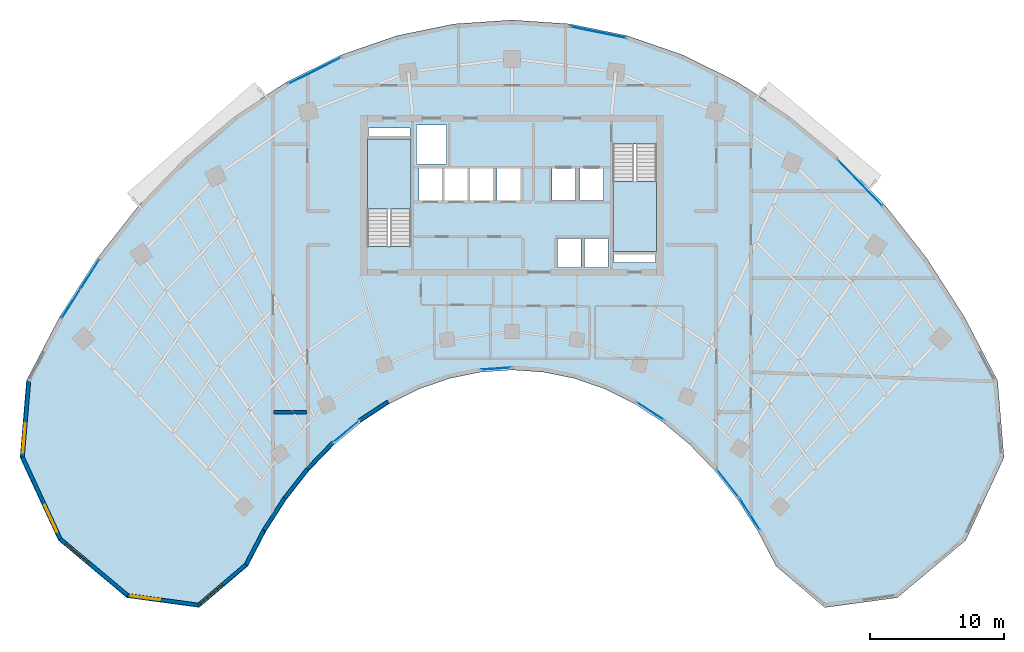
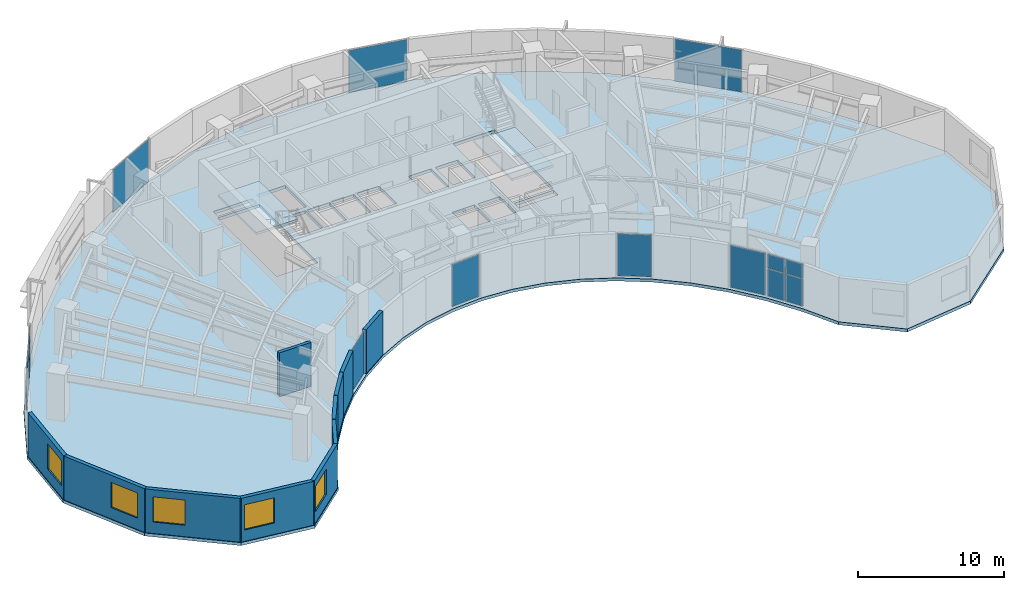
# One storey, part 7 of 14: 15 plates, 11 walls, 5 windows, 3 slabs, 5 openings, 11 elements without a shape of their own.
"""IFC4 building model written with IfcOpenShell, lengths in metres."""

from ifc_helpers import new_model, si_unit, direction, frame, frame_2d, origin, origin_2d, place, context, subcontext, project, spatial, polyline, rectangle, outline, extrude, source, transform, mapped, material, layer, layer_set, type_object, type_shapes, element, fill, aggregate, save


model = new_model("IFC4")

# Units and contexts
model_context = context("Model", 3, precision=1e-05, world=origin(), true_north=direction((0.0, 1.0)))
body_context = subcontext(model_context, "Body", "Model", "MODEL_VIEW")
ifc_project = project(units=[si_unit("LENGTHUNIT", "METRE"), si_unit("AREAUNIT", "SQUARE_METRE"), si_unit("VOLUMEUNIT", "CUBIC_METRE"), si_unit("PLANEANGLEUNIT", "RADIAN"), si_unit("MASSUNIT", "GRAM", prefix="KILO")], contexts=[model_context])

# Site, building, storey
site_placement = place(None, origin())
site = spatial("IfcSite", under=ifc_project, at=site_placement, CompositionType="ELEMENT")
building_placement = place(site_placement, origin())
building = spatial("IfcBuilding", under=site, at=building_placement, Name="Breltana Convention Tower", CompositionType="ELEMENT")
storey_placement = place(building_placement, frame((0.0, 0.0, 123.300048828125)))
storey = spatial("IfcBuildingStorey", under=building, at=storey_placement, Name="L29", CompositionType="ELEMENT", Elevation=123.300048828125)

# Slab
ifc_material_1 = material(Name="Concrete C40/50", Category="concrete")
ifc_layer_1 = layer(ifc_material_1, 0.25, Name="Concrete C40/50")
ifc_layer_set_1 = layer_set([ifc_layer_1], Name="Concrete C40/50")
slab_type_1 = type_object("IfcSlabType", Name="SL-OFF-250", PredefinedType="FLOOR", material=ifc_layer_set_1)
slab_1_placement = place(storey_placement, frame((0.0, 0.0, -0.25)))
element("IfcSlab", 1, at=slab_1_placement, inside=storey, type_object=slab_type_1, Name="L29 Suspended Structural Floor Slab", PredefinedType="FLOOR", context=body_context, shape_type="SweptSolid", body=[
    extrude(outline(polyline([(84.254150390625, 52.3564453125), (81.779052734375, 57.1103515625), (78.958251953125, 61.5048828125), (75.820556640625, 65.494873046875), (72.39794921875, 69.03955078125), (68.7255859375, 72.1025390625), (64.841064453125, 74.652587890625), (60.783935546875, 76.663818359375), (56.59619140625, 78.114990234375), (52.3203125, 78.99169921875), (48.0, 79.284912109375), (43.6796875, 78.99169921875), (39.40380859375, 78.114990234375), (35.216064453125, 76.663818359375), (31.158935546875, 74.652587890625), (27.2744140625, 72.1025390625), (23.60205078125, 69.03955078125), (20.179443359375, 65.494873046875), (17.041748046875, 61.5048828125), (14.220947265625, 57.1103515625), (11.745849609375, 52.3564453125), (11.266357421875, 46.619384765625), (14.128173828125, 40.42919921875), (19.23828125, 36.150146484375), (24.64501953125, 35.4169921875), (28.282958984375, 38.509521484375), (29.62890625, 41.09521484375), (31.1630859375, 43.485107421875), (32.869384765625, 45.655029296875), (34.73095703125, 47.5830078125), (36.728271484375, 49.248779296875), (38.8408203125, 50.6357421875), (41.04736328125, 51.7294921875), (43.324951171875, 52.518798828125), (45.650390625, 52.99560546875), (48.0, 53.155029296875), (50.349609375, 52.99560546875), (52.675048828125, 52.518798828125), (54.95263671875, 51.7294921875), (57.1591796875, 50.6357421875), (59.271728515625, 49.248779296875), (61.26904296875, 47.5830078125), (63.130615234375, 45.655029296875), (64.8369140625, 43.485107421875), (66.37109375, 41.09521484375), (67.717041015625, 38.509521484375), (71.35498046875, 35.4169921875), (76.76171875, 36.150146484375), (81.871826171875, 40.42919921875), (84.733642578125, 46.619384765625), (84.254150390625, 52.3564453125)]), holes=[polyline([(37.199951171875, 62.385009765625), (40.469970703125, 62.385009765625), (40.469970703125, 70.39990234375), (37.199951171875, 70.39990234375), (37.199951171875, 62.385009765625)]), polyline([(55.530029296875, 62.0), (58.800048828125, 62.0), (58.800048828125, 70.014892578125), (55.530029296875, 70.014892578125), (55.530029296875, 62.0)]), polyline([(51.39990234375, 60.800048828125), (53.159912109375, 60.800048828125), (53.159912109375, 62.97998046875), (51.39990234375, 62.97998046875), (51.39990234375, 60.800048828125)]), polyline([(53.39990234375, 60.800048828125), (55.159912109375, 60.800048828125), (55.159912109375, 62.97998046875), (53.39990234375, 62.97998046875), (53.39990234375, 60.800048828125)]), polyline([(41.0400390625, 65.820068359375), (42.800048828125, 65.820068359375), (42.800048828125, 68.179931640625), (41.0400390625, 68.179931640625), (41.0400390625, 65.820068359375)]), polyline([(42.93994140625, 65.820068359375), (44.699951171875, 65.820068359375), (44.699951171875, 68.179931640625), (42.93994140625, 68.179931640625), (42.93994140625, 65.820068359375)]), polyline([(44.8701171875, 65.820068359375), (46.6298828125, 65.820068359375), (46.6298828125, 68.179931640625), (44.8701171875, 68.179931640625), (44.8701171875, 65.820068359375)]), polyline([(46.8701171875, 65.820068359375), (48.6298828125, 65.820068359375), (48.6298828125, 68.179931640625), (46.8701171875, 68.179931640625), (46.8701171875, 65.820068359375)]), polyline([(50.969970703125, 65.800048828125), (52.72998046875, 65.800048828125), (52.72998046875, 68.179931640625), (50.969970703125, 68.179931640625), (50.969970703125, 65.800048828125)]), polyline([(53.070068359375, 65.800048828125), (54.830078125, 65.800048828125), (54.830078125, 68.179931640625), (53.070068359375, 68.179931640625), (53.070068359375, 65.800048828125)]), polyline([(40.8798828125, 68.550048828125), (43.1201171875, 68.550048828125), (43.1201171875, 71.449951171875), (40.8798828125, 71.449951171875), (40.8798828125, 68.550048828125)]), polyline([(37.300048828125, 70.60009765625), (40.3798828125, 70.60009765625), (40.3798828125, 71.219970703125), (37.300048828125, 71.219970703125), (37.300048828125, 70.60009765625)]), polyline([(55.6201171875, 61.179931640625), (58.699951171875, 61.179931640625), (58.699951171875, 61.800048828125), (55.6201171875, 61.800048828125), (55.6201171875, 61.179931640625)])]), origin(), (0.0, 0.0, 1.0), 0.25),
])

# Stair, slab
stair_type = type_object("IfcStairType", Name="ST-DOG-1560-R177", PredefinedType="HALF_TURN_STAIR", material=ifc_material_1)
stair_1_placement = place(storey_placement, origin())
stair_1 = element("IfcStair", 2, at=stair_1_placement, inside=storey, type_object=stair_type, Name="L29 Protected Core Exit Stair ST-1", PredefinedType="HALF_TURN_STAIR")
ifc_layer_2 = layer(ifc_material_1, 0.199951171875, Name="Concrete C40/50")
ifc_layer_set_2 = layer_set([ifc_layer_2], Name="Concrete C40/50")
slab_type_2 = type_object("IfcSlabType", Name="SL-STAIR-LANDING-200", PredefinedType="LANDING", material=ifc_layer_set_2)
slab_2_placement = place(storey_placement, frame((0.0, 0.0, 1.75)))
slab_2 = element("IfcSlab", 3, at=slab_2_placement, type_object=slab_type_2, Name="ST-1 landing 1", PredefinedType="LANDING", context=body_context, shape_type="SweptSolid", body=[
    extrude(outline(polyline([(40.469970703125, 65.159912109375), (40.469970703125, 70.39990234375), (37.199951171875, 70.39990234375), (37.199951171875, 65.159912109375), (40.469970703125, 65.159912109375)])), origin(), (0.0, 0.0, 1.0), 0.199951171875),
])
aggregate(stair_1, [slab_2])

stair_2_placement = place(storey_placement, origin())
stair_2 = element("IfcStair", 4, at=stair_2_placement, inside=storey, type_object=stair_type, Name="L29 Protected Core Exit Stair ST-2", PredefinedType="HALF_TURN_STAIR")
slab_3_placement = place(storey_placement, frame((0.0, 0.0, 1.75)))
slab_3 = element("IfcSlab", 5, at=slab_3_placement, type_object=slab_type_2, Name="ST-2 landing 1", PredefinedType="LANDING", context=body_context, shape_type="SweptSolid", body=[
    extrude(outline(polyline([(55.530029296875, 67.239990234375), (55.530029296875, 62.0), (58.800048828125, 62.0), (58.800048828125, 67.239990234375), (55.530029296875, 67.239990234375)])), origin(), (0.0, 0.0, 1.0), 0.199951171875),
])
aggregate(stair_2, [slab_3])

# Curtain wall, plates
ifc_material_2 = material(Name="Aluminium Anodised Bronze Frame", Category="aluminium")
ifc_layer_3 = layer(ifc_material_2, 0.18994140625, Name="Aluminium Anodised Bronze Frame")
ifc_layer_set_3 = layer_set([ifc_layer_3], Name="Aluminium Anodised Bronze Frame")
curtain_wall_type_1 = type_object("IfcCurtainWallType", Name="CW-SYS-1", PredefinedType="NOTDEFINED", material=ifc_layer_set_3)
curtain_wall_1_placement = place(storey_placement, origin())
curtain_wall_1 = element("IfcCurtainWall", 6, at=curtain_wall_1_placement, inside=storey, type_object=curtain_wall_type_1, Name="L29 inner south-court glazing 1", PredefinedType="NOTDEFINED")
ifc_material_3 = material(Name="Glass Low-E Double Glazing", Category="glass")
ifc_layer_4 = layer(ifc_material_3, 0.028076171875, Name="Glass Low-E Double Glazing")
ifc_layer_set_4 = layer_set([ifc_layer_4], Name="Glass Low-E Double Glazing")
plate_type_1 = type_object("IfcPlateType", Name="CWP-IGU-28", PredefinedType="CURTAIN_PANEL", material=ifc_layer_set_4)
shared_shape_1 = source(origin(), body_context, "Body", "SweptSolid", [
    extrude(rectangle(XDim=1.300048828125, YDim=0.028076171875, at=origin_2d()), origin(), (0.0, 0.0, 1.0), 2.25244140625),
])
plate_1_placement = place(storey_placement, frame((66.128173828125, 41.806640625, 0.080078125), z_axis=(0.0, 0.0, 1.0), x_axis=(-0.5401773017, 0.841551235949, 0.0)))
plate_1 = element("IfcPlate", 7, at=plate_1_placement, type_object=plate_type_1, Name="CW-01 panel 1.1", PredefinedType="CURTAIN_PANEL", context=body_context, shape_type="MappedRepresentation", body=[
    mapped(shared_shape_1, transform((0.0, 0.0, 0.0), scale=1.0)),
])
plate_2_placement = place(storey_placement, frame((65.3828125, 42.968017578125, 0.080078125), z_axis=(0.0, 0.0, 1.0), x_axis=(-0.5401773017, 0.841551235949, 0.0)))
plate_2 = element("IfcPlate", 8, at=plate_2_placement, type_object=plate_type_1, Name="CW-01 panel 2.1", PredefinedType="CURTAIN_PANEL", context=body_context, shape_type="MappedRepresentation", body=[
    mapped(shared_shape_1, transform((0.0, 0.0, 0.0), scale=1.0)),
])
shared_shape_2 = source(origin(), body_context, "Body", "SweptSolid", [
    extrude(rectangle(XDim=1.300048828125, YDim=0.028076171875, at=origin_2d()), origin(), (0.0, 0.0, 1.0), 1.157470703125),
])
plate_3_placement = place(storey_placement, frame((66.128173828125, 41.806640625, 2.41259765625), z_axis=(0.0, 0.0, 1.0), x_axis=(-0.5401773017, 0.841551235949, 0.0)))
plate_3 = element("IfcPlate", 9, at=plate_3_placement, type_object=plate_type_1, Name="CW-01 panel 1.2", PredefinedType="CURTAIN_PANEL", context=body_context, shape_type="MappedRepresentation", body=[
    mapped(shared_shape_2, transform((0.0, 0.0, 0.0), scale=1.0)),
])
plate_4_placement = place(storey_placement, frame((65.3828125, 42.968017578125, 2.41259765625), z_axis=(0.0, 0.0, 1.0), x_axis=(-0.5401773017, 0.841551235949, 0.0)))
plate_4 = element("IfcPlate", 10, at=plate_4_placement, type_object=plate_type_1, Name="CW-01 panel 2.2", PredefinedType="CURTAIN_PANEL", context=body_context, shape_type="MappedRepresentation", body=[
    mapped(shared_shape_2, transform((0.0, 0.0, 0.0), scale=1.0)),
])
aggregate(curtain_wall_1, [plate_1, plate_3, plate_2, plate_4])

# Curtain wall, plate
curtain_wall_2_placement = place(storey_placement, origin())
curtain_wall_2 = element("IfcCurtainWall", 11, at=curtain_wall_2_placement, inside=storey, type_object=curtain_wall_type_1, Name="L29 inner south-court glazing 2", PredefinedType="NOTDEFINED")
shared_shape_3 = source(origin(), body_context, "Body", "SweptSolid", [
    extrude(rectangle(XDim=2.6005859375, YDim=0.028076171875, at=origin_2d()), origin(), (0.0, 0.0, 1.0), 3.489990234375),
])
plate_5_placement = place(storey_placement, frame((64.125244140625, 44.681396484375, 0.080078125), z_axis=(0.0, 0.0, 1.0), x_axis=(-0.61815745037, 0.786054302547, 0.0)))
plate_5 = element("IfcPlate", 12, at=plate_5_placement, type_object=plate_type_1, Name="CW-01 panel 1.1", PredefinedType="CURTAIN_PANEL", context=body_context, shape_type="MappedRepresentation", body=[
    mapped(shared_shape_3, transform((0.0, 0.0, 0.0), scale=1.0)),
])
aggregate(curtain_wall_2, [plate_5])

curtain_wall_3_placement = place(storey_placement, origin())
curtain_wall_3 = element("IfcCurtainWall", 13, at=curtain_wall_3_placement, inside=storey, type_object=curtain_wall_type_1, Name="L29 inner south-court glazing 3", PredefinedType="NOTDEFINED")
shared_shape_4 = source(origin(), body_context, "Body", "SweptSolid", [
    extrude(rectangle(XDim=2.3671875, YDim=0.028076171875, at=origin_2d()), origin(), (0.0, 0.0, 1.0), 3.489990234375),
])
plate_6_placement = place(storey_placement, frame((58.314208984375, 50.0927734375, 0.080078125), z_axis=(0.0, 0.0, 1.0), x_axis=(-0.835967927261, 0.548778301858, 0.0)))
plate_6 = element("IfcPlate", 14, at=plate_6_placement, type_object=plate_type_1, Name="CW-01 panel 1.1", PredefinedType="CURTAIN_PANEL", context=body_context, shape_type="MappedRepresentation", body=[
    mapped(shared_shape_4, transform((0.0, 0.0, 0.0), scale=1.0)),
])
aggregate(curtain_wall_3, [plate_6])

curtain_wall_4_placement = place(storey_placement, origin())
curtain_wall_4 = element("IfcCurtainWall", 15, at=curtain_wall_4_placement, inside=storey, type_object=curtain_wall_type_1, Name="L29 inner south-court glazing 4", PredefinedType="NOTDEFINED")
shared_shape_5 = source(origin(), body_context, "Body", "SweptSolid", [
    extrude(rectangle(XDim=2.195068359375, YDim=0.028076171875, at=origin_2d()), origin(), (0.0, 0.0, 1.0), 3.489990234375),
])
plate_7_placement = place(storey_placement, frame((46.81298828125, 53.2548828125, 0.080078125), z_axis=(0.0, 0.0, 1.0), x_axis=(-0.997703821328, -0.067728021582, 0.0)))
plate_7 = element("IfcPlate", 16, at=plate_7_placement, type_object=plate_type_1, Name="CW-01 panel 1.1", PredefinedType="CURTAIN_PANEL", context=body_context, shape_type="MappedRepresentation", body=[
    mapped(shared_shape_5, transform((0.0, 0.0, 0.0), scale=1.0)),
])
aggregate(curtain_wall_4, [plate_7])

curtain_wall_5_placement = place(storey_placement, origin())
curtain_wall_5 = element("IfcCurtainWall", 17, at=curtain_wall_5_placement, inside=storey, type_object=curtain_wall_type_1, Name="L29 inner south-court glazing 5", PredefinedType="NOTDEFINED")
shared_shape_6 = source(origin(), body_context, "Body", "SweptSolid", [
    extrude(rectangle(XDim=2.44091796875, YDim=0.028076171875, at=origin_2d()), origin(), (0.0, 0.0, 1.0), 3.489990234375),
])
plate_8_placement = place(storey_placement, frame((35.6142578125, 48.553955078125, 0.080078125), z_axis=(0.0, 0.0, 1.0), x_axis=(-0.76794071768, -0.640520924036, 0.0)))
plate_8 = element("IfcPlate", 18, at=plate_8_placement, type_object=plate_type_1, Name="CW-01 panel 1.1", PredefinedType="CURTAIN_PANEL", context=body_context, shape_type="MappedRepresentation", body=[
    mapped(shared_shape_6, transform((0.0, 0.0, 0.0), scale=1.0)),
])
aggregate(curtain_wall_5, [plate_8])

# Curtain wall, plates
ifc_layer_5 = layer(ifc_material_2, 0.22998046875, Name="Aluminium Anodised Bronze Frame")
ifc_layer_set_5 = layer_set([ifc_layer_5], Name="Aluminium Anodised Bronze Frame")
curtain_wall_type_2 = type_object("IfcCurtainWallType", Name="CW-SYS-5", PredefinedType="NOTDEFINED", material=ifc_layer_set_5)
curtain_wall_6_placement = place(storey_placement, origin())
curtain_wall_6 = element("IfcCurtainWall", 19, at=curtain_wall_6_placement, inside=storey, type_object=curtain_wall_type_2, Name="L29 outer double-skin inner glazing 1", PredefinedType="NOTDEFINED")
ifc_layer_6 = layer(ifc_material_3, 0.035888671875, Name="Glass Low-E Double Glazing")
ifc_layer_set_6 = layer_set([ifc_layer_6], Name="Glass Low-E Double Glazing")
plate_type_2 = type_object("IfcPlateType", Name="CWP-IGU-36", PredefinedType="CURTAIN_PANEL", material=ifc_layer_set_6)
shared_shape_7 = source(origin(), body_context, "Body", "SweptSolid", [
    extrude(rectangle(XDim=2.49755859375, YDim=0.035888671875, at=origin_2d()), origin(), (0.0, 0.0, 1.0), 2.267578125),
])
plate_9_placement = place(storey_placement, frame((15.089111328125, 58.1298828125, 0.06982421875), z_axis=(0.0, 0.0, 1.0), x_axis=(0.540176809834, 0.84155155167, 0.0)))
plate_9 = element("IfcPlate", 20, at=plate_9_placement, type_object=plate_type_2, Name="CW-05 panel 1.1", PredefinedType="CURTAIN_PANEL", context=body_context, shape_type="MappedRepresentation", body=[
    mapped(shared_shape_7, transform((0.0, 0.0, 0.0), scale=1.0)),
])
plate_10_placement = place(storey_placement, frame((16.47607421875, 60.29052734375, 0.06982421875), z_axis=(0.0, 0.0, 1.0), x_axis=(0.540176809834, 0.84155155167, 0.0)))
plate_10 = element("IfcPlate", 21, at=plate_10_placement, type_object=plate_type_2, Name="CW-05 panel 2.1", PredefinedType="CURTAIN_PANEL", context=body_context, shape_type="MappedRepresentation", body=[
    mapped(shared_shape_7, transform((0.0, 0.0, 0.0), scale=1.0)),
])
shared_shape_8 = source(origin(), body_context, "Body", "SweptSolid", [
    extrude(rectangle(XDim=2.49755859375, YDim=0.035888671875, at=origin_2d()), origin(), (0.0, 0.0, 1.0), 1.172607421875),
])
plate_11_placement = place(storey_placement, frame((15.089111328125, 58.1298828125, 2.4072265625), z_axis=(0.0, 0.0, 1.0), x_axis=(0.540176809834, 0.84155155167, 0.0)))
plate_11 = element("IfcPlate", 22, at=plate_11_placement, type_object=plate_type_2, Name="CW-05 panel 1.2", PredefinedType="CURTAIN_PANEL", context=body_context, shape_type="MappedRepresentation", body=[
    mapped(shared_shape_8, transform((0.0, 0.0, 0.0), scale=1.0)),
])
plate_12_placement = place(storey_placement, frame((16.47607421875, 60.29052734375, 2.4072265625), z_axis=(0.0, 0.0, 1.0), x_axis=(0.540176809834, 0.84155155167, 0.0)))
plate_12 = element("IfcPlate", 23, at=plate_12_placement, type_object=plate_type_2, Name="CW-05 panel 2.2", PredefinedType="CURTAIN_PANEL", context=body_context, shape_type="MappedRepresentation", body=[
    mapped(shared_shape_8, transform((0.0, 0.0, 0.0), scale=1.0)),
])
aggregate(curtain_wall_6, [plate_9, plate_11, plate_10, plate_12])

# Curtain wall, plate
curtain_wall_7_placement = place(storey_placement, origin())
curtain_wall_7 = element("IfcCurtainWall", 24, at=curtain_wall_7_placement, inside=storey, type_object=curtain_wall_type_2, Name="L29 outer double-skin inner glazing 2", PredefinedType="NOTDEFINED")
shared_shape_9 = source(origin(), body_context, "Body", "SweptSolid", [
    extrude(rectangle(XDim=4.36572265625, YDim=0.035888671875, at=origin_2d()), origin(), (0.0, 0.0, 1.0), 3.510009765625),
])
plate_13_placement = place(storey_placement, frame((33.26708984375, 75.496826171875, 0.06982421875), z_axis=(0.0, 0.0, 1.0), x_axis=(0.895966548937, 0.444121541007, 0.0)))
plate_13 = element("IfcPlate", 25, at=plate_13_placement, type_object=plate_type_2, Name="CW-05 panel 1.1", PredefinedType="CURTAIN_PANEL", context=body_context, shape_type="MappedRepresentation", body=[
    mapped(shared_shape_9, transform((0.0, 0.0, 0.0), scale=1.0)),
])
aggregate(curtain_wall_7, [plate_13])

curtain_wall_8_placement = place(storey_placement, origin())
curtain_wall_8 = element("IfcCurtainWall", 26, at=curtain_wall_8_placement, inside=storey, type_object=curtain_wall_type_2, Name="L29 outer double-skin inner glazing 3", PredefinedType="NOTDEFINED")
shared_shape_10 = source(origin(), body_context, "Body", "SweptSolid", [
    extrude(rectangle(XDim=4.200927734375, YDim=0.035888671875, at=origin_2d()), origin(), (0.0, 0.0, 1.0), 3.510009765625),
])
plate_14_placement = place(storey_placement, frame((54.422119140625, 78.376953125, 0.06982421875), z_axis=(0.0, 0.0, 1.0), x_axis=(0.979620254346, -0.200858550415, 0.0)))
plate_14 = element("IfcPlate", 27, at=plate_14_placement, type_object=plate_type_2, Name="CW-05 panel 1.1", PredefinedType="CURTAIN_PANEL", context=body_context, shape_type="MappedRepresentation", body=[
    mapped(shared_shape_10, transform((0.0, 0.0, 0.0), scale=1.0)),
])
aggregate(curtain_wall_8, [plate_14])

curtain_wall_9_placement = place(storey_placement, origin())
curtain_wall_9 = element("IfcCurtainWall", 28, at=curtain_wall_9_placement, inside=storey, type_object=curtain_wall_type_2, Name="L29 outer double-skin inner glazing 4", PredefinedType="NOTDEFINED")
shared_shape_11 = source(origin(), body_context, "Body", "SweptSolid", [
    extrude(rectangle(XDim=4.7685546875, YDim=0.035888671875, at=origin_2d()), origin(), (0.0, 0.0, 1.0), 3.510009765625),
])
plate_15_placement = place(storey_placement, frame((73.97998046875, 67.141845703125, 0.06982421875), z_axis=(0.0, 0.0, 1.0), x_axis=(0.694611601605, -0.719384961558, 0.0)))
plate_15 = element("IfcPlate", 29, at=plate_15_placement, type_object=plate_type_2, Name="CW-05 panel 1.1", PredefinedType="CURTAIN_PANEL", context=body_context, shape_type="MappedRepresentation", body=[
    mapped(shared_shape_11, transform((0.0, 0.0, 0.0), scale=1.0)),
])
aggregate(curtain_wall_9, [plate_15])

# Wall, opening, window
ifc_material_4 = material(Name="Limestone Buff Insulated Wall", Category="masonry")
ifc_layer_7 = layer(ifc_material_4, 0.280029296875, Name="Limestone Buff Insulated Wall")
ifc_layer_set_7 = layer_set([ifc_layer_7], Name="Limestone Buff Insulated Wall")
wall_type_1 = type_object("IfcWallType", Name="WL-EXT-NOSE-280", PredefinedType="SOLIDWALL", material=ifc_layer_set_7)
shared_shape_12 = source(origin(), body_context, "Body", "SweptSolid", [
    extrude(rectangle(XDim=5.673583984375, YDim=0.280029296875, at=frame_2d((2.8369140625, 0.0))), origin(), (0.0, 0.0, 1.0), 3.64990234375),
])
wall_1_placement = place(storey_placement, frame((11.44970703125, 46.651611328125, 0.0), z_axis=(0.0, 0.0, 1.0), x_axis=(0.083309007867, 0.996523762491, 0.0)))
wall_1 = element("IfcWall", 30, at=wall_1_placement, inside=storey, type_object=wall_type_1, Name="L29 curved limestone nose wall W6", PredefinedType="SOLIDWALL", context=body_context, shape_type="MappedRepresentation", body=[
    mapped(shared_shape_12, transform((0.0, 0.0, 0.0), scale=1.0)),
])
opening_1_placement = place(wall_1_placement, frame((0.318359375, 0.0, 0.949951171875)))
opening_1 = element("IfcOpeningElement", 31, at=opening_1_placement, cuts=wall_1, Name="Opening W-03", PredefinedType="OPENING", context=body_context, shape_type="SweptSolid", body=[
    extrude(rectangle(XDim=2.199951171875, YDim=2.10009765625, at=frame_2d((1.10009765625, 1.050048828125))), frame((0.0, 0.14990234375, 0.0), z_axis=(0.0, -1.0, 0.0), x_axis=(1.0, 0.0, 0.0)), (0.0, 0.0, 1.0), 0.300048828125),
])
ifc_material_5 = material(Name="Glass Low-E Insulated Window", Category="glass")
window_type = type_object("IfcWindowType", Name="WN-NOSE-2200X2100", PartitioningType="TRIPLE_PANEL_VERTICAL", PredefinedType="WINDOW", material=ifc_material_5)
shared_shape_13 = source(origin(), body_context, "Body", "SweptSolid", [
    extrude(rectangle(XDim=2.199951171875, YDim=2.10009765625, at=frame_2d((1.10009765625, 1.050048828125))), frame((0.0, 0.030029296875, 0.0), z_axis=(0.0, -1.0, 0.0), x_axis=(1.0, 0.0, 0.0)), (0.0, 0.0, 1.0), 0.06005859375),
])
type_shapes(window_type, [shared_shape_13])
window_1_placement = place(opening_1_placement, origin())
window_1 = element("IfcWindow", 32, at=window_1_placement, inside=storey, type_object=window_type, Name="L29 nose window W6", OverallHeight=2.10009765625, OverallWidth=2.199951171875, PartitioningType="TRIPLE_PANEL_VERTICAL", PredefinedType="WINDOW", context=body_context, shape_type="MappedRepresentation", body=[
    mapped(shared_shape_13, transform((0.0, 0.0, 0.0), scale=1.0)),
])
fill(opening_1, window_1)

shared_shape_14 = source(origin(), body_context, "Body", "SweptSolid", [
    extrude(rectangle(XDim=6.731689453125, YDim=0.280029296875, at=frame_2d((3.36572265625, 0.0))), origin(), (0.0, 0.0, 1.0), 3.64990234375),
])
wall_2_placement = place(storey_placement, frame((14.274658203125, 40.541259765625, 0.0), z_axis=(0.0, 0.0, 1.0), x_axis=(-0.419644552709, 0.907688520023, 0.0)))
wall_2 = element("IfcWall", 33, at=wall_2_placement, inside=storey, type_object=wall_type_1, Name="L29 curved limestone nose wall W5", PredefinedType="SOLIDWALL", context=body_context, shape_type="MappedRepresentation", body=[
    mapped(shared_shape_14, transform((0.0, 0.0, 0.0), scale=1.0)),
])
opening_2_placement = place(wall_2_placement, frame((0.5830078125, 0.0, 0.949951171875)))
opening_2 = element("IfcOpeningElement", 34, at=opening_2_placement, cuts=wall_2, Name="Opening W-03", PredefinedType="OPENING", context=body_context, shape_type="SweptSolid", body=[
    extrude(rectangle(XDim=2.199951171875, YDim=2.10009765625, at=frame_2d((1.10009765625, 1.050048828125))), frame((0.0, 0.14990234375, 0.0), z_axis=(0.0, -1.0, 0.0), x_axis=(1.0, 0.0, 0.0)), (0.0, 0.0, 1.0), 0.300048828125),
])
window_2_placement = place(opening_2_placement, origin())
window_2 = element("IfcWindow", 35, at=window_2_placement, inside=storey, type_object=window_type, Name="L29 nose window W5", OverallHeight=2.10009765625, OverallWidth=2.199951171875, PartitioningType="TRIPLE_PANEL_VERTICAL", PredefinedType="WINDOW", context=body_context, shape_type="MappedRepresentation", body=[
    mapped(shared_shape_13, transform((0.0, 0.0, 0.0), scale=1.0)),
])
fill(opening_2, window_2)

shared_shape_15 = source(origin(), body_context, "Body", "SweptSolid", [
    extrude(rectangle(XDim=6.572998046875, YDim=0.280029296875, at=frame_2d((3.28662109375, 0.0))), origin(), (0.0, 0.0, 1.0), 3.64990234375),
])
wall_3_placement = place(storey_placement, frame((19.314208984375, 36.321533203125, 0.0), z_axis=(0.0, 0.0, 1.0), x_axis=(-0.766715154163, 0.641987439423, 0.0)))
wall_3 = element("IfcWall", 36, at=wall_3_placement, inside=storey, type_object=wall_type_1, Name="L29 curved limestone nose wall W4", PredefinedType="SOLIDWALL", context=body_context, shape_type="MappedRepresentation", body=[
    mapped(shared_shape_15, transform((0.0, 0.0, 0.0), scale=1.0)),
])
opening_3_placement = place(wall_3_placement, frame((3.82958984375, 0.0, 0.949951171875)))
opening_3 = element("IfcOpeningElement", 37, at=opening_3_placement, cuts=wall_3, Name="Opening W-03", PredefinedType="OPENING", context=body_context, shape_type="SweptSolid", body=[
    extrude(rectangle(XDim=2.199951171875, YDim=2.10009765625, at=frame_2d((1.10009765625, 1.050048828125))), frame((0.0, 0.14990234375, 0.0), z_axis=(0.0, -1.0, 0.0), x_axis=(1.0, 0.0, 0.0)), (0.0, 0.0, 1.0), 0.300048828125),
])
window_3_placement = place(opening_3_placement, origin())
window_3 = element("IfcWindow", 38, at=window_3_placement, inside=storey, type_object=window_type, Name="L29 nose window W4", OverallHeight=2.10009765625, OverallWidth=2.199951171875, PartitioningType="TRIPLE_PANEL_VERTICAL", PredefinedType="WINDOW", context=body_context, shape_type="MappedRepresentation", body=[
    mapped(shared_shape_13, transform((0.0, 0.0, 0.0), scale=1.0)),
])
fill(opening_3, window_3)

shared_shape_16 = source(origin(), body_context, "Body", "SweptSolid", [
    extrude(rectangle(XDim=5.32373046875, YDim=0.280029296875, at=frame_2d((2.661865234375, 0.0))), origin(), (0.0, 0.0, 1.0), 3.64990234375),
])
wall_4_placement = place(storey_placement, frame((24.589599609375, 35.606201171875, 0.0), z_axis=(0.0, 0.0, 1.0), x_axis=(-0.990931467223, 0.134368252451, 0.0)))
wall_4 = element("IfcWall", 39, at=wall_4_placement, inside=storey, type_object=wall_type_1, Name="L29 curved limestone nose wall W3", PredefinedType="SOLIDWALL", context=body_context, shape_type="MappedRepresentation", body=[
    mapped(shared_shape_16, transform((0.0, 0.0, 0.0), scale=1.0)),
])
opening_4_placement = place(wall_4_placement, frame((2.892822265625, 0.0, 0.949951171875)))
opening_4 = element("IfcOpeningElement", 40, at=opening_4_placement, cuts=wall_4, Name="Opening W-03", PredefinedType="OPENING", context=body_context, shape_type="SweptSolid", body=[
    extrude(rectangle(XDim=2.199951171875, YDim=2.10009765625, at=frame_2d((1.10009765625, 1.050048828125))), frame((0.0, 0.14990234375, 0.0), z_axis=(0.0, -1.0, 0.0), x_axis=(1.0, 0.0, 0.0)), (0.0, 0.0, 1.0), 0.300048828125),
])
window_4_placement = place(opening_4_placement, origin())
window_4 = element("IfcWindow", 41, at=window_4_placement, inside=storey, type_object=window_type, Name="L29 nose window W3", OverallHeight=2.10009765625, OverallWidth=2.199951171875, PartitioningType="TRIPLE_PANEL_VERTICAL", PredefinedType="WINDOW", context=body_context, shape_type="MappedRepresentation", body=[
    mapped(shared_shape_13, transform((0.0, 0.0, 0.0), scale=1.0)),
])
fill(opening_4, window_4)

shared_shape_17 = source(origin(), body_context, "Body", "SweptSolid", [
    extrude(rectangle(XDim=4.6591796875, YDim=0.280029296875, at=frame_2d((2.32958984375, 0.0))), origin(), (0.0, 0.0, 1.0), 3.64990234375),
])
wall_5_placement = place(storey_placement, frame((28.139404296875, 38.623779296875, 0.0), z_axis=(0.0, 0.0, 1.0), x_axis=(-0.761913458795, -0.647678841176, 0.0)))
wall_5 = element("IfcWall", 42, at=wall_5_placement, inside=storey, type_object=wall_type_1, Name="L29 curved limestone nose wall W2", PredefinedType="SOLIDWALL", context=body_context, shape_type="MappedRepresentation", body=[
    mapped(shared_shape_17, transform((0.0, 0.0, 0.0), scale=1.0)),
])
opening_5_placement = place(wall_5_placement, frame((2.29931640625, 0.0, 0.949951171875)))
opening_5 = element("IfcOpeningElement", 43, at=opening_5_placement, cuts=wall_5, Name="Opening W-03", PredefinedType="OPENING", context=body_context, shape_type="SweptSolid", body=[
    extrude(rectangle(XDim=2.199951171875, YDim=2.10009765625, at=frame_2d((1.10009765625, 1.050048828125))), frame((0.0, 0.14990234375, 0.0), z_axis=(0.0, -1.0, 0.0), x_axis=(1.0, 0.0, 0.0)), (0.0, 0.0, 1.0), 0.300048828125),
])
window_5_placement = place(opening_5_placement, origin())
window_5 = element("IfcWindow", 44, at=window_5_placement, inside=storey, type_object=window_type, Name="L29 nose window W2", OverallHeight=2.10009765625, OverallWidth=2.199951171875, PartitioningType="TRIPLE_PANEL_VERTICAL", PredefinedType="WINDOW", context=body_context, shape_type="MappedRepresentation", body=[
    mapped(shared_shape_13, transform((0.0, 0.0, 0.0), scale=1.0)),
])
fill(opening_5, window_5)

# Walls
shared_shape_18 = source(origin(), body_context, "Body", "SweptSolid", [
    extrude(rectangle(XDim=2.8798828125, YDim=0.280029296875, at=frame_2d((1.43994140625, 0.0))), origin(), (0.0, 0.0, 1.0), 3.64990234375),
])
wall_6_placement = place(storey_placement, frame((29.46923828125, 41.17822265625, 0.0), z_axis=(0.0, 0.0, 1.0), x_axis=(-0.461769086658, -0.887000175088, 0.0)))
element("IfcWall", 45, at=wall_6_placement, inside=storey, type_object=wall_type_1, Name="L29 curved limestone nose wall W1", PredefinedType="SOLIDWALL", context=body_context, shape_type="MappedRepresentation", body=[
    mapped(shared_shape_18, transform((0.0, 0.0, 0.0), scale=1.0)),
])
shared_shape_19 = source(origin(), body_context, "Body", "SweptSolid", [
    extrude(rectangle(XDim=2.679931640625, YDim=0.280029296875, at=frame_2d((1.33984375, 0.0))), origin(), (0.0, 0.0, 1.0), 3.64990234375),
])
wall_7_placement = place(storey_placement, frame((34.601318359375, 47.7080078125, 0.0), z_axis=(0.0, 0.0, 1.0), x_axis=(-0.694561996568, -0.719432855049, 0.0)))
element("IfcWall", 46, at=wall_7_placement, inside=storey, type_object=wall_type_1, Name="L29 curved limestone nose wall E17", PredefinedType="SOLIDWALL", context=body_context, shape_type="MappedRepresentation", body=[
    mapped(shared_shape_19, transform((0.0, 0.0, 0.0), scale=1.0)),
])
shared_shape_20 = source(origin(), body_context, "Body", "SweptSolid", [
    extrude(rectangle(XDim=2.52734375, YDim=0.280029296875, at=frame_2d((1.263671875, 0.0))), origin(), (0.0, 0.0, 1.0), 3.64990234375),
])
wall_8_placement = place(storey_placement, frame((38.7421875, 50.7861328125, 0.0), z_axis=(0.0, 0.0, 1.0), x_axis=(-0.836011905051, -0.548711303523, 0.0)))
element("IfcWall", 47, at=wall_8_placement, inside=storey, type_object=wall_type_1, Name="L29 curved limestone nose wall E16", PredefinedType="SOLIDWALL", context=body_context, shape_type="MappedRepresentation", body=[
    mapped(shared_shape_20, transform((0.0, 0.0, 0.0), scale=1.0)),
])
shared_shape_21 = source(origin(), body_context, "Body", "SweptSolid", [
    extrude(rectangle(XDim=2.760498046875, YDim=0.280029296875, at=frame_2d((1.38037109375, 0.0))), origin(), (0.0, 0.0, 1.0), 3.64990234375),
])
wall_9_placement = place(storey_placement, frame((32.72802734375, 45.766357421875, 0.0), z_axis=(0.0, 0.0, 1.0), x_axis=(-0.618180818641, -0.786035925047, 0.0)))
element("IfcWall", 48, at=wall_9_placement, inside=storey, type_object=wall_type_1, Name="L29 curved limestone nose wall E18", PredefinedType="SOLIDWALL", context=body_context, shape_type="MappedRepresentation", body=[
    mapped(shared_shape_21, transform((0.0, 0.0, 0.0), scale=1.0)),
])
shared_shape_22 = source(origin(), body_context, "Body", "SweptSolid", [
    extrude(rectangle(XDim=2.83984375, YDim=0.280029296875, at=frame_2d((1.419921875, 0.0))), origin(), (0.0, 0.0, 1.0), 3.64990234375),
])
wall_10_placement = place(storey_placement, frame((31.011474609375, 43.582275390625, 0.0), z_axis=(0.0, 0.0, 1.0), x_axis=(-0.540214368057, -0.841527442538, 0.0)))
element("IfcWall", 49, at=wall_10_placement, inside=storey, type_object=wall_type_1, Name="L29 curved limestone nose wall E19", PredefinedType="SOLIDWALL", context=body_context, shape_type="MappedRepresentation", body=[
    mapped(shared_shape_22, transform((0.0, 0.0, 0.0), scale=1.0)),
])
ifc_material_6 = material(Name="Gypsum Acoustic Double Stud Wall")
ifc_layer_8 = layer(ifc_material_6, 0.25, Name="Gypsum Acoustic Double Stud Wall")
ifc_layer_set_8 = layer_set([ifc_layer_8], Name="Gypsum Acoustic Double Stud Wall")
wall_type_2 = type_object("IfcWallType", Name="WL-ACOUSTIC-250", PredefinedType="PARTITIONING", material=ifc_layer_set_8)
shared_shape_23 = source(origin(), body_context, "Body", "SweptSolid", [
    extrude(rectangle(XDim=2.5, YDim=0.25, at=frame_2d((1.25, 0.0))), origin(), (0.0, 0.0, 1.0), 3.64990234375),
])
wall_11_placement = place(storey_placement, frame((30.199951171875, 50.0, 0.0), z_axis=(0.0, 0.0, 1.0), x_axis=(1.0, 0.0, 0.0)))
element("IfcWall", 50, at=wall_11_placement, inside=storey, type_object=wall_type_2, Name="L29 interior partition W-L29-CORNW-S", PredefinedType="PARTITIONING", context=body_context, shape_type="MappedRepresentation", body=[
    mapped(shared_shape_23, transform((0.0, 0.0, 0.0), scale=1.0)),
])

save(model, "model.ifc")
